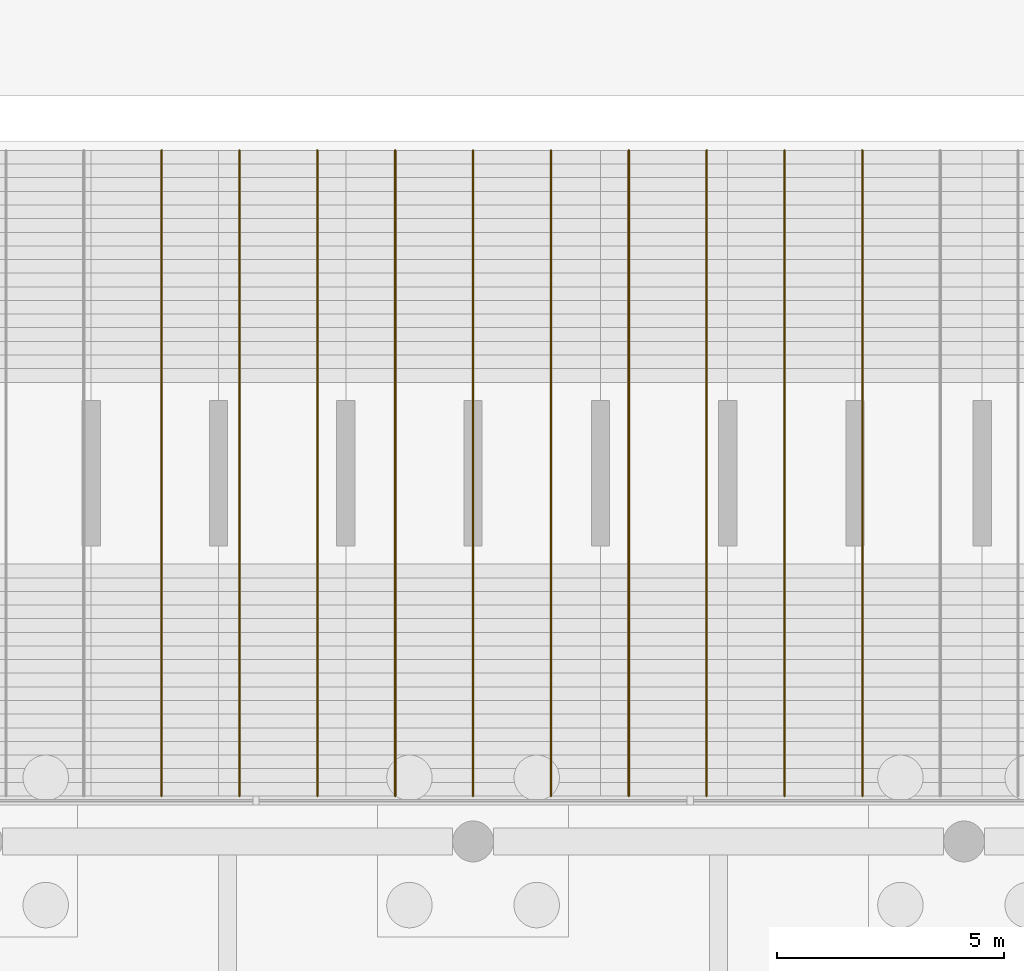
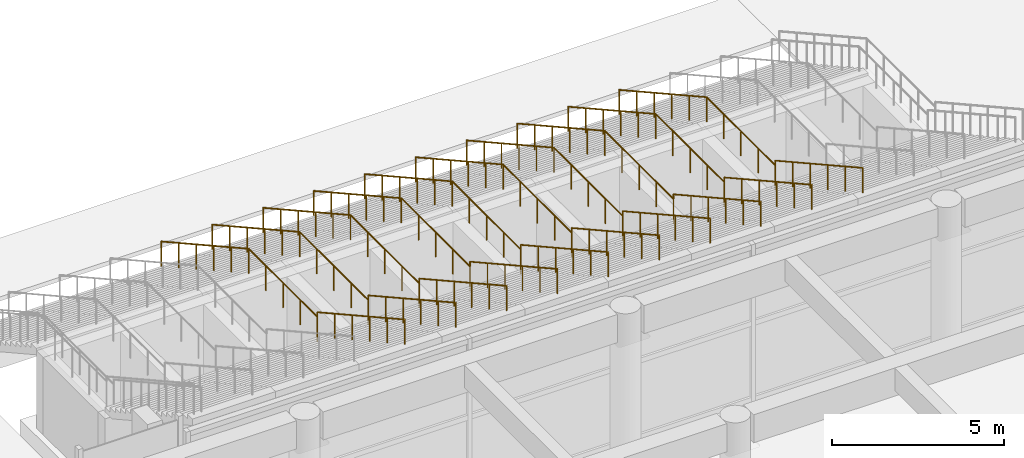
# One storey, part 30 of 32: 10 railings.
"""IFC4 building model written with IfcOpenShell, lengths in metres."""

from ifc_helpers import new_model, si_unit, direction, frame, origin, origin_2d, place, context, subcontext, project, spatial, circle, extrude, material, type_object, element, save


model = new_model("IFC4")

# Units and contexts
model_context = context("Model", 3, precision=1e-05, world=origin(), true_north=direction((0.0, 1.0)))
body_context = subcontext(model_context, "Body", "Model", "MODEL_VIEW")
ifc_project = project(units=[si_unit("LENGTHUNIT", "METRE"), si_unit("AREAUNIT", "SQUARE_METRE"), si_unit("VOLUMEUNIT", "CUBIC_METRE"), si_unit("PLANEANGLEUNIT", "RADIAN"), si_unit("MASSUNIT", "GRAM", prefix="KILO")], contexts=[model_context])

# Site, building, storey
site_placement = place(None, origin())
site = spatial("IfcSite", under=ifc_project, at=site_placement, CompositionType="ELEMENT")
building_placement = place(site_placement, origin())
building = spatial("IfcBuilding", under=site, at=building_placement, Name="Quipu Civic Tower", CompositionType="ELEMENT")
storey_placement = place(building_placement, origin())
storey = spatial("IfcBuildingStorey", under=building, at=storey_placement, Name="L00", CompositionType="ELEMENT", Elevation=0.0)

# Railings
ifc_material = material(Name="Stainless steel", Category="steel")
railing_type = type_object("IfcRailingType", Name="Stair handrail", PredefinedType="HANDRAIL", material=ifc_material)
railing_1_placement = place(storey_placement, frame((-6.85009765625, 70.199951171875, 0.166748046875)))
element("IfcRailing", 1, at=railing_1_placement, inside=storey, type_object=railing_type, Name="Broad stair handrail", PredefinedType="HANDRAIL", context=body_context, shape_type="SweptSolid", body=[
    extrude(circle(Radius=0.02392578125, at=origin_2d()), frame((0.0, 0.0, 0.8759765625), z_axis=(0.0, -0.874157276122, 0.485642931179), x_axis=(1.0, 0.0, 0.0)), (0.0, 0.0, 1.0), 5.833984375),
    extrude(circle(Radius=0.02392578125, at=origin_2d()), frame((0.0, -5.099853515625, 3.708984375), z_axis=(0.0, -1.0, 0.0), x_axis=(1.0, 0.0, 0.0)), (0.0, 0.0, 1.0), 4.0),
    extrude(circle(Radius=0.02392578125, at=origin_2d()), frame((0.0, -9.099853515625, 3.708984375), z_axis=(0.0, 0.0, 1.0), x_axis=(1.0, 0.0, 0.0)), (0.0, 0.0, 1.0), 0.166748046875),
    extrude(circle(Radius=0.02392578125, at=origin_2d()), frame((0.0, -9.099853515625, 3.8759765625), z_axis=(0.0, -0.874167145328, 0.485625166182), x_axis=(1.0, 0.0, 0.0)), (0.0, 0.0, 1.0), 5.834228515625),
    extrude(circle(Radius=0.02099609375, at=origin_2d()), origin(), (0.0, 0.0, 1.0), 0.851806640625),
    extrude(circle(Radius=0.02099609375, at=origin_2d()), frame((0.0, -1.02001953125, 0.566650390625)), (0.0, 0.0, 1.0), 0.851806640625),
    extrude(circle(Radius=0.02099609375, at=origin_2d()), frame((0.0, -2.0400390625, 1.13330078125)), (0.0, 0.0, 1.0), 0.851806640625),
    extrude(circle(Radius=0.02099609375, at=origin_2d()), frame((0.0, -3.059814453125, 1.699951171875)), (0.0, 0.0, 1.0), 0.851806640625),
    extrude(circle(Radius=0.02099609375, at=origin_2d()), frame((0.0, -4.079833984375, 2.2666015625)), (0.0, 0.0, 1.0), 0.851806640625),
    extrude(circle(Radius=0.02099609375, at=origin_2d()), frame((0.0, -5.099853515625, 2.833251953125)), (0.0, 0.0, 1.0), 0.851806640625),
    extrude(circle(Radius=0.02099609375, at=origin_2d()), frame((0.0, -6.099853515625, 2.833251953125)), (0.0, 0.0, 1.0), 0.851806640625),
    extrude(circle(Radius=0.02099609375, at=origin_2d()), frame((0.0, -7.099853515625, 2.833251953125)), (0.0, 0.0, 1.0), 0.851806640625),
    extrude(circle(Radius=0.02099609375, at=origin_2d()), frame((0.0, -8.099853515625, 2.833251953125)), (0.0, 0.0, 1.0), 0.851806640625),
    extrude(circle(Radius=0.02099609375, at=origin_2d()), frame((0.0, -9.099853515625, 2.833251953125)), (0.0, 0.0, 1.0), 0.851806640625),
    extrude(circle(Radius=0.02099609375, at=origin_2d()), frame((0.0, -9.099853515625, 3.0)), (0.0, 0.0, 1.0), 0.851806640625),
    extrude(circle(Radius=0.02099609375, at=origin_2d()), frame((0.0, -10.119873046875, 3.566650390625)), (0.0, 0.0, 1.0), 0.851806640625),
    extrude(circle(Radius=0.02099609375, at=origin_2d()), frame((0.0, -11.139892578125, 4.13330078125)), (0.0, 0.0, 1.0), 0.851806640625),
    extrude(circle(Radius=0.02099609375, at=origin_2d()), frame((0.0, -12.159912109375, 4.699951171875)), (0.0, 0.0, 1.0), 0.851806640625),
    extrude(circle(Radius=0.02099609375, at=origin_2d()), frame((0.0, -13.179931640625, 5.2666015625)), (0.0, 0.0, 1.0), 0.851806640625),
    extrude(circle(Radius=0.02099609375, at=origin_2d()), frame((0.0, -14.199951171875, 5.833251953125)), (0.0, 0.0, 1.0), 0.851806640625),
])
railing_2_placement = place(storey_placement, frame((-5.137451171875, 70.199951171875, 0.166748046875)))
element("IfcRailing", 2, at=railing_2_placement, inside=storey, type_object=railing_type, Name="Broad stair handrail", PredefinedType="HANDRAIL", context=body_context, shape_type="SweptSolid", body=[
    extrude(circle(Radius=0.02392578125, at=origin_2d()), frame((0.0, 0.0, 0.8759765625), z_axis=(0.0, -0.874157276122, 0.485642931179), x_axis=(1.0, 0.0, 0.0)), (0.0, 0.0, 1.0), 5.833984375),
    extrude(circle(Radius=0.02392578125, at=origin_2d()), frame((0.0, -5.099853515625, 3.708984375), z_axis=(0.0, -1.0, 0.0), x_axis=(1.0, 0.0, 0.0)), (0.0, 0.0, 1.0), 4.0),
    extrude(circle(Radius=0.02392578125, at=origin_2d()), frame((0.0, -9.099853515625, 3.708984375), z_axis=(0.0, 0.0, 1.0), x_axis=(1.0, 0.0, 0.0)), (0.0, 0.0, 1.0), 0.166748046875),
    extrude(circle(Radius=0.02392578125, at=origin_2d()), frame((0.0, -9.099853515625, 3.8759765625), z_axis=(0.0, -0.874167145328, 0.485625166182), x_axis=(1.0, 0.0, 0.0)), (0.0, 0.0, 1.0), 5.834228515625),
    extrude(circle(Radius=0.02099609375, at=origin_2d()), origin(), (0.0, 0.0, 1.0), 0.851806640625),
    extrude(circle(Radius=0.02099609375, at=origin_2d()), frame((0.0, -1.02001953125, 0.566650390625)), (0.0, 0.0, 1.0), 0.851806640625),
    extrude(circle(Radius=0.02099609375, at=origin_2d()), frame((0.0, -2.0400390625, 1.13330078125)), (0.0, 0.0, 1.0), 0.851806640625),
    extrude(circle(Radius=0.02099609375, at=origin_2d()), frame((0.0, -3.059814453125, 1.699951171875)), (0.0, 0.0, 1.0), 0.851806640625),
    extrude(circle(Radius=0.02099609375, at=origin_2d()), frame((0.0, -4.079833984375, 2.2666015625)), (0.0, 0.0, 1.0), 0.851806640625),
    extrude(circle(Radius=0.02099609375, at=origin_2d()), frame((0.0, -5.099853515625, 2.833251953125)), (0.0, 0.0, 1.0), 0.851806640625),
    extrude(circle(Radius=0.02099609375, at=origin_2d()), frame((0.0, -6.099853515625, 2.833251953125)), (0.0, 0.0, 1.0), 0.851806640625),
    extrude(circle(Radius=0.02099609375, at=origin_2d()), frame((0.0, -7.099853515625, 2.833251953125)), (0.0, 0.0, 1.0), 0.851806640625),
    extrude(circle(Radius=0.02099609375, at=origin_2d()), frame((0.0, -8.099853515625, 2.833251953125)), (0.0, 0.0, 1.0), 0.851806640625),
    extrude(circle(Radius=0.02099609375, at=origin_2d()), frame((0.0, -9.099853515625, 2.833251953125)), (0.0, 0.0, 1.0), 0.851806640625),
    extrude(circle(Radius=0.02099609375, at=origin_2d()), frame((0.0, -9.099853515625, 3.0)), (0.0, 0.0, 1.0), 0.851806640625),
    extrude(circle(Radius=0.02099609375, at=origin_2d()), frame((0.0, -10.119873046875, 3.566650390625)), (0.0, 0.0, 1.0), 0.851806640625),
    extrude(circle(Radius=0.02099609375, at=origin_2d()), frame((0.0, -11.139892578125, 4.13330078125)), (0.0, 0.0, 1.0), 0.851806640625),
    extrude(circle(Radius=0.02099609375, at=origin_2d()), frame((0.0, -12.159912109375, 4.699951171875)), (0.0, 0.0, 1.0), 0.851806640625),
    extrude(circle(Radius=0.02099609375, at=origin_2d()), frame((0.0, -13.179931640625, 5.2666015625)), (0.0, 0.0, 1.0), 0.851806640625),
    extrude(circle(Radius=0.02099609375, at=origin_2d()), frame((0.0, -14.199951171875, 5.833251953125)), (0.0, 0.0, 1.0), 0.851806640625),
])
railing_3_placement = place(storey_placement, frame((-3.425048828125, 70.199951171875, 0.166748046875)))
element("IfcRailing", 3, at=railing_3_placement, inside=storey, type_object=railing_type, Name="Broad stair handrail", PredefinedType="HANDRAIL", context=body_context, shape_type="SweptSolid", body=[
    extrude(circle(Radius=0.02392578125, at=origin_2d()), frame((0.0, 0.0, 0.8759765625), z_axis=(0.0, -0.874157276122, 0.485642931179), x_axis=(1.0, 0.0, 0.0)), (0.0, 0.0, 1.0), 5.833984375),
    extrude(circle(Radius=0.02392578125, at=origin_2d()), frame((0.0, -5.099853515625, 3.708984375), z_axis=(0.0, -1.0, 0.0), x_axis=(1.0, 0.0, 0.0)), (0.0, 0.0, 1.0), 4.0),
    extrude(circle(Radius=0.02392578125, at=origin_2d()), frame((0.0, -9.099853515625, 3.708984375), z_axis=(0.0, 0.0, 1.0), x_axis=(1.0, 0.0, 0.0)), (0.0, 0.0, 1.0), 0.166748046875),
    extrude(circle(Radius=0.02392578125, at=origin_2d()), frame((0.0, -9.099853515625, 3.8759765625), z_axis=(0.0, -0.874167145328, 0.485625166182), x_axis=(1.0, 0.0, 0.0)), (0.0, 0.0, 1.0), 5.834228515625),
    extrude(circle(Radius=0.02099609375, at=origin_2d()), origin(), (0.0, 0.0, 1.0), 0.851806640625),
    extrude(circle(Radius=0.02099609375, at=origin_2d()), frame((0.0, -1.02001953125, 0.566650390625)), (0.0, 0.0, 1.0), 0.851806640625),
    extrude(circle(Radius=0.02099609375, at=origin_2d()), frame((0.0, -2.0400390625, 1.13330078125)), (0.0, 0.0, 1.0), 0.851806640625),
    extrude(circle(Radius=0.02099609375, at=origin_2d()), frame((0.0, -3.059814453125, 1.699951171875)), (0.0, 0.0, 1.0), 0.851806640625),
    extrude(circle(Radius=0.02099609375, at=origin_2d()), frame((0.0, -4.079833984375, 2.2666015625)), (0.0, 0.0, 1.0), 0.851806640625),
    extrude(circle(Radius=0.02099609375, at=origin_2d()), frame((0.0, -5.099853515625, 2.833251953125)), (0.0, 0.0, 1.0), 0.851806640625),
    extrude(circle(Radius=0.02099609375, at=origin_2d()), frame((0.0, -6.099853515625, 2.833251953125)), (0.0, 0.0, 1.0), 0.851806640625),
    extrude(circle(Radius=0.02099609375, at=origin_2d()), frame((0.0, -7.099853515625, 2.833251953125)), (0.0, 0.0, 1.0), 0.851806640625),
    extrude(circle(Radius=0.02099609375, at=origin_2d()), frame((0.0, -8.099853515625, 2.833251953125)), (0.0, 0.0, 1.0), 0.851806640625),
    extrude(circle(Radius=0.02099609375, at=origin_2d()), frame((0.0, -9.099853515625, 2.833251953125)), (0.0, 0.0, 1.0), 0.851806640625),
    extrude(circle(Radius=0.02099609375, at=origin_2d()), frame((0.0, -9.099853515625, 3.0)), (0.0, 0.0, 1.0), 0.851806640625),
    extrude(circle(Radius=0.02099609375, at=origin_2d()), frame((0.0, -10.119873046875, 3.566650390625)), (0.0, 0.0, 1.0), 0.851806640625),
    extrude(circle(Radius=0.02099609375, at=origin_2d()), frame((0.0, -11.139892578125, 4.13330078125)), (0.0, 0.0, 1.0), 0.851806640625),
    extrude(circle(Radius=0.02099609375, at=origin_2d()), frame((0.0, -12.159912109375, 4.699951171875)), (0.0, 0.0, 1.0), 0.851806640625),
    extrude(circle(Radius=0.02099609375, at=origin_2d()), frame((0.0, -13.179931640625, 5.2666015625)), (0.0, 0.0, 1.0), 0.851806640625),
    extrude(circle(Radius=0.02099609375, at=origin_2d()), frame((0.0, -14.199951171875, 5.833251953125)), (0.0, 0.0, 1.0), 0.851806640625),
])
railing_4_placement = place(storey_placement, frame((-1.71240234375, 70.199951171875, 0.166748046875)))
element("IfcRailing", 4, at=railing_4_placement, inside=storey, type_object=railing_type, Name="Broad stair handrail", PredefinedType="HANDRAIL", context=body_context, shape_type="SweptSolid", body=[
    extrude(circle(Radius=0.02392578125, at=origin_2d()), frame((0.0, 0.0, 0.8759765625), z_axis=(0.0, -0.874157276122, 0.485642931179), x_axis=(1.0, 0.0, 0.0)), (0.0, 0.0, 1.0), 5.833984375),
    extrude(circle(Radius=0.02392578125, at=origin_2d()), frame((0.0, -5.099853515625, 3.708984375), z_axis=(0.0, -1.0, 0.0), x_axis=(1.0, 0.0, 0.0)), (0.0, 0.0, 1.0), 4.0),
    extrude(circle(Radius=0.02392578125, at=origin_2d()), frame((0.0, -9.099853515625, 3.708984375), z_axis=(0.0, 0.0, 1.0), x_axis=(1.0, 0.0, 0.0)), (0.0, 0.0, 1.0), 0.166748046875),
    extrude(circle(Radius=0.02392578125, at=origin_2d()), frame((0.0, -9.099853515625, 3.8759765625), z_axis=(0.0, -0.874167145328, 0.485625166182), x_axis=(1.0, 0.0, 0.0)), (0.0, 0.0, 1.0), 5.834228515625),
    extrude(circle(Radius=0.02099609375, at=origin_2d()), origin(), (0.0, 0.0, 1.0), 0.851806640625),
    extrude(circle(Radius=0.02099609375, at=origin_2d()), frame((0.0, -1.02001953125, 0.566650390625)), (0.0, 0.0, 1.0), 0.851806640625),
    extrude(circle(Radius=0.02099609375, at=origin_2d()), frame((0.0, -2.0400390625, 1.13330078125)), (0.0, 0.0, 1.0), 0.851806640625),
    extrude(circle(Radius=0.02099609375, at=origin_2d()), frame((0.0, -3.059814453125, 1.699951171875)), (0.0, 0.0, 1.0), 0.851806640625),
    extrude(circle(Radius=0.02099609375, at=origin_2d()), frame((0.0, -4.079833984375, 2.2666015625)), (0.0, 0.0, 1.0), 0.851806640625),
    extrude(circle(Radius=0.02099609375, at=origin_2d()), frame((0.0, -5.099853515625, 2.833251953125)), (0.0, 0.0, 1.0), 0.851806640625),
    extrude(circle(Radius=0.02099609375, at=origin_2d()), frame((0.0, -6.099853515625, 2.833251953125)), (0.0, 0.0, 1.0), 0.851806640625),
    extrude(circle(Radius=0.02099609375, at=origin_2d()), frame((0.0, -7.099853515625, 2.833251953125)), (0.0, 0.0, 1.0), 0.851806640625),
    extrude(circle(Radius=0.02099609375, at=origin_2d()), frame((0.0, -8.099853515625, 2.833251953125)), (0.0, 0.0, 1.0), 0.851806640625),
    extrude(circle(Radius=0.02099609375, at=origin_2d()), frame((0.0, -9.099853515625, 2.833251953125)), (0.0, 0.0, 1.0), 0.851806640625),
    extrude(circle(Radius=0.02099609375, at=origin_2d()), frame((0.0, -9.099853515625, 3.0)), (0.0, 0.0, 1.0), 0.851806640625),
    extrude(circle(Radius=0.02099609375, at=origin_2d()), frame((0.0, -10.119873046875, 3.566650390625)), (0.0, 0.0, 1.0), 0.851806640625),
    extrude(circle(Radius=0.02099609375, at=origin_2d()), frame((0.0, -11.139892578125, 4.13330078125)), (0.0, 0.0, 1.0), 0.851806640625),
    extrude(circle(Radius=0.02099609375, at=origin_2d()), frame((0.0, -12.159912109375, 4.699951171875)), (0.0, 0.0, 1.0), 0.851806640625),
    extrude(circle(Radius=0.02099609375, at=origin_2d()), frame((0.0, -13.179931640625, 5.2666015625)), (0.0, 0.0, 1.0), 0.851806640625),
    extrude(circle(Radius=0.02099609375, at=origin_2d()), frame((0.0, -14.199951171875, 5.833251953125)), (0.0, 0.0, 1.0), 0.851806640625),
])
railing_5_placement = place(storey_placement, frame((0.0, 70.199951171875, 0.166748046875)))
element("IfcRailing", 5, at=railing_5_placement, inside=storey, type_object=railing_type, Name="Broad stair handrail", PredefinedType="HANDRAIL", context=body_context, shape_type="SweptSolid", body=[
    extrude(circle(Radius=0.02392578125, at=origin_2d()), frame((0.0, 0.0, 0.8759765625), z_axis=(0.0, -0.874157276122, 0.485642931179), x_axis=(1.0, 0.0, 0.0)), (0.0, 0.0, 1.0), 5.833984375),
    extrude(circle(Radius=0.02392578125, at=origin_2d()), frame((0.0, -5.099853515625, 3.708984375), z_axis=(0.0, -1.0, 0.0), x_axis=(1.0, 0.0, 0.0)), (0.0, 0.0, 1.0), 4.0),
    extrude(circle(Radius=0.02392578125, at=origin_2d()), frame((0.0, -9.099853515625, 3.708984375), z_axis=(0.0, 0.0, 1.0), x_axis=(1.0, 0.0, 0.0)), (0.0, 0.0, 1.0), 0.166748046875),
    extrude(circle(Radius=0.02392578125, at=origin_2d()), frame((0.0, -9.099853515625, 3.8759765625), z_axis=(0.0, -0.874167145328, 0.485625166182), x_axis=(1.0, 0.0, 0.0)), (0.0, 0.0, 1.0), 5.834228515625),
    extrude(circle(Radius=0.02099609375, at=origin_2d()), origin(), (0.0, 0.0, 1.0), 0.851806640625),
    extrude(circle(Radius=0.02099609375, at=origin_2d()), frame((0.0, -1.02001953125, 0.566650390625)), (0.0, 0.0, 1.0), 0.851806640625),
    extrude(circle(Radius=0.02099609375, at=origin_2d()), frame((0.0, -2.0400390625, 1.13330078125)), (0.0, 0.0, 1.0), 0.851806640625),
    extrude(circle(Radius=0.02099609375, at=origin_2d()), frame((0.0, -3.059814453125, 1.699951171875)), (0.0, 0.0, 1.0), 0.851806640625),
    extrude(circle(Radius=0.02099609375, at=origin_2d()), frame((0.0, -4.079833984375, 2.2666015625)), (0.0, 0.0, 1.0), 0.851806640625),
    extrude(circle(Radius=0.02099609375, at=origin_2d()), frame((0.0, -5.099853515625, 2.833251953125)), (0.0, 0.0, 1.0), 0.851806640625),
    extrude(circle(Radius=0.02099609375, at=origin_2d()), frame((0.0, -6.099853515625, 2.833251953125)), (0.0, 0.0, 1.0), 0.851806640625),
    extrude(circle(Radius=0.02099609375, at=origin_2d()), frame((0.0, -7.099853515625, 2.833251953125)), (0.0, 0.0, 1.0), 0.851806640625),
    extrude(circle(Radius=0.02099609375, at=origin_2d()), frame((0.0, -8.099853515625, 2.833251953125)), (0.0, 0.0, 1.0), 0.851806640625),
    extrude(circle(Radius=0.02099609375, at=origin_2d()), frame((0.0, -9.099853515625, 2.833251953125)), (0.0, 0.0, 1.0), 0.851806640625),
    extrude(circle(Radius=0.02099609375, at=origin_2d()), frame((0.0, -9.099853515625, 3.0)), (0.0, 0.0, 1.0), 0.851806640625),
    extrude(circle(Radius=0.02099609375, at=origin_2d()), frame((0.0, -10.119873046875, 3.566650390625)), (0.0, 0.0, 1.0), 0.851806640625),
    extrude(circle(Radius=0.02099609375, at=origin_2d()), frame((0.0, -11.139892578125, 4.13330078125)), (0.0, 0.0, 1.0), 0.851806640625),
    extrude(circle(Radius=0.02099609375, at=origin_2d()), frame((0.0, -12.159912109375, 4.699951171875)), (0.0, 0.0, 1.0), 0.851806640625),
    extrude(circle(Radius=0.02099609375, at=origin_2d()), frame((0.0, -13.179931640625, 5.2666015625)), (0.0, 0.0, 1.0), 0.851806640625),
    extrude(circle(Radius=0.02099609375, at=origin_2d()), frame((0.0, -14.199951171875, 5.833251953125)), (0.0, 0.0, 1.0), 0.851806640625),
])
railing_6_placement = place(storey_placement, frame((1.71240234375, 70.199951171875, 0.166748046875)))
element("IfcRailing", 6, at=railing_6_placement, inside=storey, type_object=railing_type, Name="Broad stair handrail", PredefinedType="HANDRAIL", context=body_context, shape_type="SweptSolid", body=[
    extrude(circle(Radius=0.02392578125, at=origin_2d()), frame((0.0, 0.0, 0.8759765625), z_axis=(0.0, -0.874157276122, 0.485642931179), x_axis=(1.0, 0.0, 0.0)), (0.0, 0.0, 1.0), 5.833984375),
    extrude(circle(Radius=0.02392578125, at=origin_2d()), frame((0.0, -5.099853515625, 3.708984375), z_axis=(0.0, -1.0, 0.0), x_axis=(1.0, 0.0, 0.0)), (0.0, 0.0, 1.0), 4.0),
    extrude(circle(Radius=0.02392578125, at=origin_2d()), frame((0.0, -9.099853515625, 3.708984375), z_axis=(0.0, 0.0, 1.0), x_axis=(1.0, 0.0, 0.0)), (0.0, 0.0, 1.0), 0.166748046875),
    extrude(circle(Radius=0.02392578125, at=origin_2d()), frame((0.0, -9.099853515625, 3.8759765625), z_axis=(0.0, -0.874167145328, 0.485625166182), x_axis=(1.0, 0.0, 0.0)), (0.0, 0.0, 1.0), 5.834228515625),
    extrude(circle(Radius=0.02099609375, at=origin_2d()), origin(), (0.0, 0.0, 1.0), 0.851806640625),
    extrude(circle(Radius=0.02099609375, at=origin_2d()), frame((0.0, -1.02001953125, 0.566650390625)), (0.0, 0.0, 1.0), 0.851806640625),
    extrude(circle(Radius=0.02099609375, at=origin_2d()), frame((0.0, -2.0400390625, 1.13330078125)), (0.0, 0.0, 1.0), 0.851806640625),
    extrude(circle(Radius=0.02099609375, at=origin_2d()), frame((0.0, -3.059814453125, 1.699951171875)), (0.0, 0.0, 1.0), 0.851806640625),
    extrude(circle(Radius=0.02099609375, at=origin_2d()), frame((0.0, -4.079833984375, 2.2666015625)), (0.0, 0.0, 1.0), 0.851806640625),
    extrude(circle(Radius=0.02099609375, at=origin_2d()), frame((0.0, -5.099853515625, 2.833251953125)), (0.0, 0.0, 1.0), 0.851806640625),
    extrude(circle(Radius=0.02099609375, at=origin_2d()), frame((0.0, -6.099853515625, 2.833251953125)), (0.0, 0.0, 1.0), 0.851806640625),
    extrude(circle(Radius=0.02099609375, at=origin_2d()), frame((0.0, -7.099853515625, 2.833251953125)), (0.0, 0.0, 1.0), 0.851806640625),
    extrude(circle(Radius=0.02099609375, at=origin_2d()), frame((0.0, -8.099853515625, 2.833251953125)), (0.0, 0.0, 1.0), 0.851806640625),
    extrude(circle(Radius=0.02099609375, at=origin_2d()), frame((0.0, -9.099853515625, 2.833251953125)), (0.0, 0.0, 1.0), 0.851806640625),
    extrude(circle(Radius=0.02099609375, at=origin_2d()), frame((0.0, -9.099853515625, 3.0)), (0.0, 0.0, 1.0), 0.851806640625),
    extrude(circle(Radius=0.02099609375, at=origin_2d()), frame((0.0, -10.119873046875, 3.566650390625)), (0.0, 0.0, 1.0), 0.851806640625),
    extrude(circle(Radius=0.02099609375, at=origin_2d()), frame((0.0, -11.139892578125, 4.13330078125)), (0.0, 0.0, 1.0), 0.851806640625),
    extrude(circle(Radius=0.02099609375, at=origin_2d()), frame((0.0, -12.159912109375, 4.699951171875)), (0.0, 0.0, 1.0), 0.851806640625),
    extrude(circle(Radius=0.02099609375, at=origin_2d()), frame((0.0, -13.179931640625, 5.2666015625)), (0.0, 0.0, 1.0), 0.851806640625),
    extrude(circle(Radius=0.02099609375, at=origin_2d()), frame((0.0, -14.199951171875, 5.833251953125)), (0.0, 0.0, 1.0), 0.851806640625),
])
railing_7_placement = place(storey_placement, frame((3.425048828125, 70.199951171875, 0.166748046875)))
element("IfcRailing", 7, at=railing_7_placement, inside=storey, type_object=railing_type, Name="Broad stair handrail", PredefinedType="HANDRAIL", context=body_context, shape_type="SweptSolid", body=[
    extrude(circle(Radius=0.02392578125, at=origin_2d()), frame((0.0, 0.0, 0.8759765625), z_axis=(0.0, -0.874157276122, 0.485642931179), x_axis=(1.0, 0.0, 0.0)), (0.0, 0.0, 1.0), 5.833984375),
    extrude(circle(Radius=0.02392578125, at=origin_2d()), frame((0.0, -5.099853515625, 3.708984375), z_axis=(0.0, -1.0, 0.0), x_axis=(1.0, 0.0, 0.0)), (0.0, 0.0, 1.0), 4.0),
    extrude(circle(Radius=0.02392578125, at=origin_2d()), frame((0.0, -9.099853515625, 3.708984375), z_axis=(0.0, 0.0, 1.0), x_axis=(1.0, 0.0, 0.0)), (0.0, 0.0, 1.0), 0.166748046875),
    extrude(circle(Radius=0.02392578125, at=origin_2d()), frame((0.0, -9.099853515625, 3.8759765625), z_axis=(0.0, -0.874167145328, 0.485625166182), x_axis=(1.0, 0.0, 0.0)), (0.0, 0.0, 1.0), 5.834228515625),
    extrude(circle(Radius=0.02099609375, at=origin_2d()), origin(), (0.0, 0.0, 1.0), 0.851806640625),
    extrude(circle(Radius=0.02099609375, at=origin_2d()), frame((0.0, -1.02001953125, 0.566650390625)), (0.0, 0.0, 1.0), 0.851806640625),
    extrude(circle(Radius=0.02099609375, at=origin_2d()), frame((0.0, -2.0400390625, 1.13330078125)), (0.0, 0.0, 1.0), 0.851806640625),
    extrude(circle(Radius=0.02099609375, at=origin_2d()), frame((0.0, -3.059814453125, 1.699951171875)), (0.0, 0.0, 1.0), 0.851806640625),
    extrude(circle(Radius=0.02099609375, at=origin_2d()), frame((0.0, -4.079833984375, 2.2666015625)), (0.0, 0.0, 1.0), 0.851806640625),
    extrude(circle(Radius=0.02099609375, at=origin_2d()), frame((0.0, -5.099853515625, 2.833251953125)), (0.0, 0.0, 1.0), 0.851806640625),
    extrude(circle(Radius=0.02099609375, at=origin_2d()), frame((0.0, -6.099853515625, 2.833251953125)), (0.0, 0.0, 1.0), 0.851806640625),
    extrude(circle(Radius=0.02099609375, at=origin_2d()), frame((0.0, -7.099853515625, 2.833251953125)), (0.0, 0.0, 1.0), 0.851806640625),
    extrude(circle(Radius=0.02099609375, at=origin_2d()), frame((0.0, -8.099853515625, 2.833251953125)), (0.0, 0.0, 1.0), 0.851806640625),
    extrude(circle(Radius=0.02099609375, at=origin_2d()), frame((0.0, -9.099853515625, 2.833251953125)), (0.0, 0.0, 1.0), 0.851806640625),
    extrude(circle(Radius=0.02099609375, at=origin_2d()), frame((0.0, -9.099853515625, 3.0)), (0.0, 0.0, 1.0), 0.851806640625),
    extrude(circle(Radius=0.02099609375, at=origin_2d()), frame((0.0, -10.119873046875, 3.566650390625)), (0.0, 0.0, 1.0), 0.851806640625),
    extrude(circle(Radius=0.02099609375, at=origin_2d()), frame((0.0, -11.139892578125, 4.13330078125)), (0.0, 0.0, 1.0), 0.851806640625),
    extrude(circle(Radius=0.02099609375, at=origin_2d()), frame((0.0, -12.159912109375, 4.699951171875)), (0.0, 0.0, 1.0), 0.851806640625),
    extrude(circle(Radius=0.02099609375, at=origin_2d()), frame((0.0, -13.179931640625, 5.2666015625)), (0.0, 0.0, 1.0), 0.851806640625),
    extrude(circle(Radius=0.02099609375, at=origin_2d()), frame((0.0, -14.199951171875, 5.833251953125)), (0.0, 0.0, 1.0), 0.851806640625),
])
railing_8_placement = place(storey_placement, frame((5.137451171875, 70.199951171875, 0.166748046875)))
element("IfcRailing", 8, at=railing_8_placement, inside=storey, type_object=railing_type, Name="Broad stair handrail", PredefinedType="HANDRAIL", context=body_context, shape_type="SweptSolid", body=[
    extrude(circle(Radius=0.02392578125, at=origin_2d()), frame((0.0, 0.0, 0.8759765625), z_axis=(0.0, -0.874157276122, 0.485642931179), x_axis=(1.0, 0.0, 0.0)), (0.0, 0.0, 1.0), 5.833984375),
    extrude(circle(Radius=0.02392578125, at=origin_2d()), frame((0.0, -5.099853515625, 3.708984375), z_axis=(0.0, -1.0, 0.0), x_axis=(1.0, 0.0, 0.0)), (0.0, 0.0, 1.0), 4.0),
    extrude(circle(Radius=0.02392578125, at=origin_2d()), frame((0.0, -9.099853515625, 3.708984375), z_axis=(0.0, 0.0, 1.0), x_axis=(1.0, 0.0, 0.0)), (0.0, 0.0, 1.0), 0.166748046875),
    extrude(circle(Radius=0.02392578125, at=origin_2d()), frame((0.0, -9.099853515625, 3.8759765625), z_axis=(0.0, -0.874167145328, 0.485625166182), x_axis=(1.0, 0.0, 0.0)), (0.0, 0.0, 1.0), 5.834228515625),
    extrude(circle(Radius=0.02099609375, at=origin_2d()), origin(), (0.0, 0.0, 1.0), 0.851806640625),
    extrude(circle(Radius=0.02099609375, at=origin_2d()), frame((0.0, -1.02001953125, 0.566650390625)), (0.0, 0.0, 1.0), 0.851806640625),
    extrude(circle(Radius=0.02099609375, at=origin_2d()), frame((0.0, -2.0400390625, 1.13330078125)), (0.0, 0.0, 1.0), 0.851806640625),
    extrude(circle(Radius=0.02099609375, at=origin_2d()), frame((0.0, -3.059814453125, 1.699951171875)), (0.0, 0.0, 1.0), 0.851806640625),
    extrude(circle(Radius=0.02099609375, at=origin_2d()), frame((0.0, -4.079833984375, 2.2666015625)), (0.0, 0.0, 1.0), 0.851806640625),
    extrude(circle(Radius=0.02099609375, at=origin_2d()), frame((0.0, -5.099853515625, 2.833251953125)), (0.0, 0.0, 1.0), 0.851806640625),
    extrude(circle(Radius=0.02099609375, at=origin_2d()), frame((0.0, -6.099853515625, 2.833251953125)), (0.0, 0.0, 1.0), 0.851806640625),
    extrude(circle(Radius=0.02099609375, at=origin_2d()), frame((0.0, -7.099853515625, 2.833251953125)), (0.0, 0.0, 1.0), 0.851806640625),
    extrude(circle(Radius=0.02099609375, at=origin_2d()), frame((0.0, -8.099853515625, 2.833251953125)), (0.0, 0.0, 1.0), 0.851806640625),
    extrude(circle(Radius=0.02099609375, at=origin_2d()), frame((0.0, -9.099853515625, 2.833251953125)), (0.0, 0.0, 1.0), 0.851806640625),
    extrude(circle(Radius=0.02099609375, at=origin_2d()), frame((0.0, -9.099853515625, 3.0)), (0.0, 0.0, 1.0), 0.851806640625),
    extrude(circle(Radius=0.02099609375, at=origin_2d()), frame((0.0, -10.119873046875, 3.566650390625)), (0.0, 0.0, 1.0), 0.851806640625),
    extrude(circle(Radius=0.02099609375, at=origin_2d()), frame((0.0, -11.139892578125, 4.13330078125)), (0.0, 0.0, 1.0), 0.851806640625),
    extrude(circle(Radius=0.02099609375, at=origin_2d()), frame((0.0, -12.159912109375, 4.699951171875)), (0.0, 0.0, 1.0), 0.851806640625),
    extrude(circle(Radius=0.02099609375, at=origin_2d()), frame((0.0, -13.179931640625, 5.2666015625)), (0.0, 0.0, 1.0), 0.851806640625),
    extrude(circle(Radius=0.02099609375, at=origin_2d()), frame((0.0, -14.199951171875, 5.833251953125)), (0.0, 0.0, 1.0), 0.851806640625),
])
railing_9_placement = place(storey_placement, frame((6.85009765625, 70.199951171875, 0.166748046875)))
element("IfcRailing", 9, at=railing_9_placement, inside=storey, type_object=railing_type, Name="Broad stair handrail", PredefinedType="HANDRAIL", context=body_context, shape_type="SweptSolid", body=[
    extrude(circle(Radius=0.02392578125, at=origin_2d()), frame((0.0, 0.0, 0.8759765625), z_axis=(0.0, -0.874157276122, 0.485642931179), x_axis=(1.0, 0.0, 0.0)), (0.0, 0.0, 1.0), 5.833984375),
    extrude(circle(Radius=0.02392578125, at=origin_2d()), frame((0.0, -5.099853515625, 3.708984375), z_axis=(0.0, -1.0, 0.0), x_axis=(1.0, 0.0, 0.0)), (0.0, 0.0, 1.0), 4.0),
    extrude(circle(Radius=0.02392578125, at=origin_2d()), frame((0.0, -9.099853515625, 3.708984375), z_axis=(0.0, 0.0, 1.0), x_axis=(1.0, 0.0, 0.0)), (0.0, 0.0, 1.0), 0.166748046875),
    extrude(circle(Radius=0.02392578125, at=origin_2d()), frame((0.0, -9.099853515625, 3.8759765625), z_axis=(0.0, -0.874167145328, 0.485625166182), x_axis=(1.0, 0.0, 0.0)), (0.0, 0.0, 1.0), 5.834228515625),
    extrude(circle(Radius=0.02099609375, at=origin_2d()), origin(), (0.0, 0.0, 1.0), 0.851806640625),
    extrude(circle(Radius=0.02099609375, at=origin_2d()), frame((0.0, -1.02001953125, 0.566650390625)), (0.0, 0.0, 1.0), 0.851806640625),
    extrude(circle(Radius=0.02099609375, at=origin_2d()), frame((0.0, -2.0400390625, 1.13330078125)), (0.0, 0.0, 1.0), 0.851806640625),
    extrude(circle(Radius=0.02099609375, at=origin_2d()), frame((0.0, -3.059814453125, 1.699951171875)), (0.0, 0.0, 1.0), 0.851806640625),
    extrude(circle(Radius=0.02099609375, at=origin_2d()), frame((0.0, -4.079833984375, 2.2666015625)), (0.0, 0.0, 1.0), 0.851806640625),
    extrude(circle(Radius=0.02099609375, at=origin_2d()), frame((0.0, -5.099853515625, 2.833251953125)), (0.0, 0.0, 1.0), 0.851806640625),
    extrude(circle(Radius=0.02099609375, at=origin_2d()), frame((0.0, -6.099853515625, 2.833251953125)), (0.0, 0.0, 1.0), 0.851806640625),
    extrude(circle(Radius=0.02099609375, at=origin_2d()), frame((0.0, -7.099853515625, 2.833251953125)), (0.0, 0.0, 1.0), 0.851806640625),
    extrude(circle(Radius=0.02099609375, at=origin_2d()), frame((0.0, -8.099853515625, 2.833251953125)), (0.0, 0.0, 1.0), 0.851806640625),
    extrude(circle(Radius=0.02099609375, at=origin_2d()), frame((0.0, -9.099853515625, 2.833251953125)), (0.0, 0.0, 1.0), 0.851806640625),
    extrude(circle(Radius=0.02099609375, at=origin_2d()), frame((0.0, -9.099853515625, 3.0)), (0.0, 0.0, 1.0), 0.851806640625),
    extrude(circle(Radius=0.02099609375, at=origin_2d()), frame((0.0, -10.119873046875, 3.566650390625)), (0.0, 0.0, 1.0), 0.851806640625),
    extrude(circle(Radius=0.02099609375, at=origin_2d()), frame((0.0, -11.139892578125, 4.13330078125)), (0.0, 0.0, 1.0), 0.851806640625),
    extrude(circle(Radius=0.02099609375, at=origin_2d()), frame((0.0, -12.159912109375, 4.699951171875)), (0.0, 0.0, 1.0), 0.851806640625),
    extrude(circle(Radius=0.02099609375, at=origin_2d()), frame((0.0, -13.179931640625, 5.2666015625)), (0.0, 0.0, 1.0), 0.851806640625),
    extrude(circle(Radius=0.02099609375, at=origin_2d()), frame((0.0, -14.199951171875, 5.833251953125)), (0.0, 0.0, 1.0), 0.851806640625),
])
railing_10_placement = place(storey_placement, frame((8.5625, 70.199951171875, 0.166748046875)))
element("IfcRailing", 10, at=railing_10_placement, inside=storey, type_object=railing_type, Name="Broad stair handrail", PredefinedType="HANDRAIL", context=body_context, shape_type="SweptSolid", body=[
    extrude(circle(Radius=0.02392578125, at=origin_2d()), frame((0.0, 0.0, 0.8759765625), z_axis=(0.0, -0.874157276122, 0.485642931179), x_axis=(1.0, 0.0, 0.0)), (0.0, 0.0, 1.0), 5.833984375),
    extrude(circle(Radius=0.02392578125, at=origin_2d()), frame((0.0, -5.099853515625, 3.708984375), z_axis=(0.0, -1.0, 0.0), x_axis=(1.0, 0.0, 0.0)), (0.0, 0.0, 1.0), 4.0),
    extrude(circle(Radius=0.02392578125, at=origin_2d()), frame((0.0, -9.099853515625, 3.708984375), z_axis=(0.0, 0.0, 1.0), x_axis=(1.0, 0.0, 0.0)), (0.0, 0.0, 1.0), 0.166748046875),
    extrude(circle(Radius=0.02392578125, at=origin_2d()), frame((0.0, -9.099853515625, 3.8759765625), z_axis=(0.0, -0.874167145328, 0.485625166182), x_axis=(1.0, 0.0, 0.0)), (0.0, 0.0, 1.0), 5.834228515625),
    extrude(circle(Radius=0.02099609375, at=origin_2d()), origin(), (0.0, 0.0, 1.0), 0.851806640625),
    extrude(circle(Radius=0.02099609375, at=origin_2d()), frame((0.0, -1.02001953125, 0.566650390625)), (0.0, 0.0, 1.0), 0.851806640625),
    extrude(circle(Radius=0.02099609375, at=origin_2d()), frame((0.0, -2.0400390625, 1.13330078125)), (0.0, 0.0, 1.0), 0.851806640625),
    extrude(circle(Radius=0.02099609375, at=origin_2d()), frame((0.0, -3.059814453125, 1.699951171875)), (0.0, 0.0, 1.0), 0.851806640625),
    extrude(circle(Radius=0.02099609375, at=origin_2d()), frame((0.0, -4.079833984375, 2.2666015625)), (0.0, 0.0, 1.0), 0.851806640625),
    extrude(circle(Radius=0.02099609375, at=origin_2d()), frame((0.0, -5.099853515625, 2.833251953125)), (0.0, 0.0, 1.0), 0.851806640625),
    extrude(circle(Radius=0.02099609375, at=origin_2d()), frame((0.0, -6.099853515625, 2.833251953125)), (0.0, 0.0, 1.0), 0.851806640625),
    extrude(circle(Radius=0.02099609375, at=origin_2d()), frame((0.0, -7.099853515625, 2.833251953125)), (0.0, 0.0, 1.0), 0.851806640625),
    extrude(circle(Radius=0.02099609375, at=origin_2d()), frame((0.0, -8.099853515625, 2.833251953125)), (0.0, 0.0, 1.0), 0.851806640625),
    extrude(circle(Radius=0.02099609375, at=origin_2d()), frame((0.0, -9.099853515625, 2.833251953125)), (0.0, 0.0, 1.0), 0.851806640625),
    extrude(circle(Radius=0.02099609375, at=origin_2d()), frame((0.0, -9.099853515625, 3.0)), (0.0, 0.0, 1.0), 0.851806640625),
    extrude(circle(Radius=0.02099609375, at=origin_2d()), frame((0.0, -10.119873046875, 3.566650390625)), (0.0, 0.0, 1.0), 0.851806640625),
    extrude(circle(Radius=0.02099609375, at=origin_2d()), frame((0.0, -11.139892578125, 4.13330078125)), (0.0, 0.0, 1.0), 0.851806640625),
    extrude(circle(Radius=0.02099609375, at=origin_2d()), frame((0.0, -12.159912109375, 4.699951171875)), (0.0, 0.0, 1.0), 0.851806640625),
    extrude(circle(Radius=0.02099609375, at=origin_2d()), frame((0.0, -13.179931640625, 5.2666015625)), (0.0, 0.0, 1.0), 0.851806640625),
    extrude(circle(Radius=0.02099609375, at=origin_2d()), frame((0.0, -14.199951171875, 5.833251953125)), (0.0, 0.0, 1.0), 0.851806640625),
])

save(model, "model.ifc")
